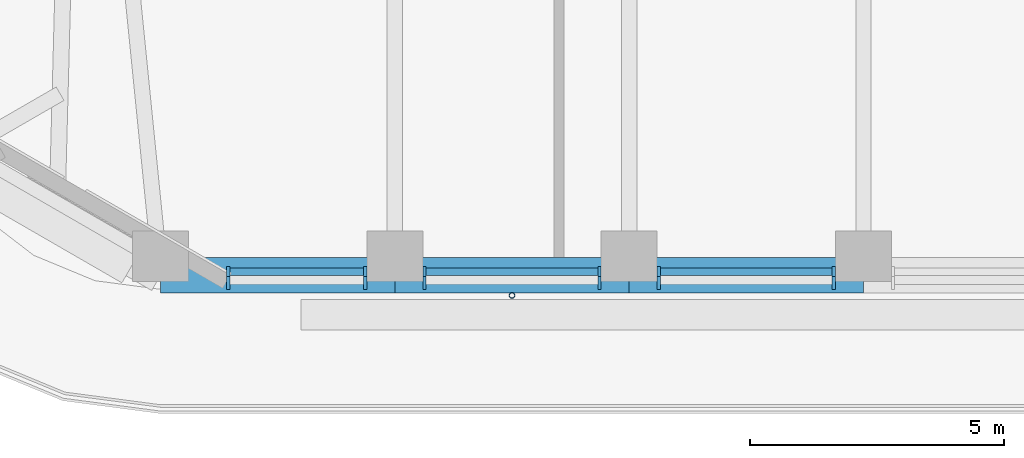
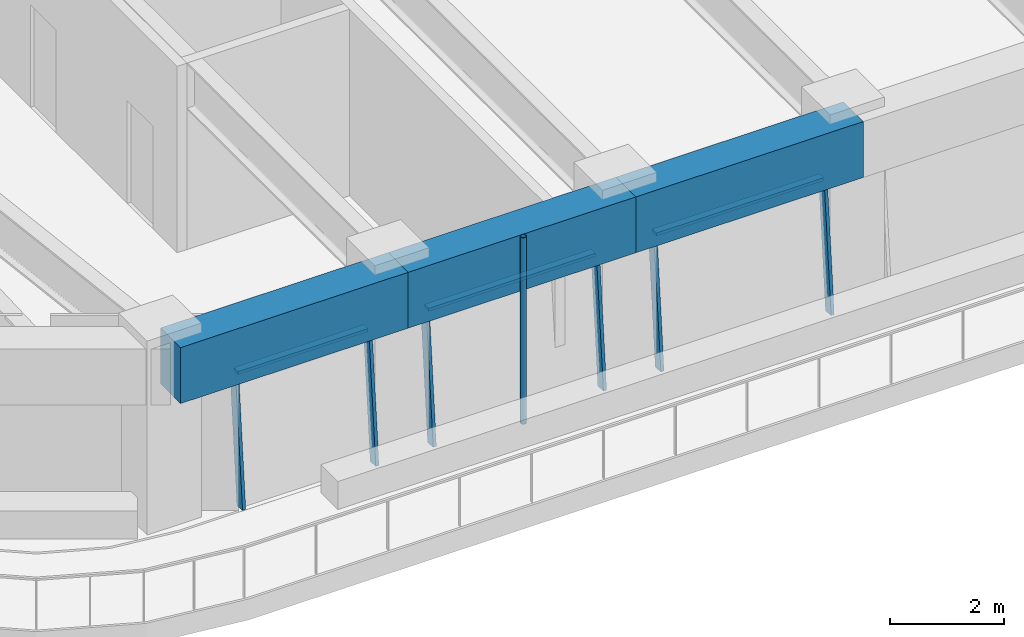
# One storey, part 2 of 20: 10 members, 3 beams, 3 elements without a shape of their own.
"""IFC4 building model written with IfcOpenShell, lengths in metres."""

from ifc_helpers import new_model, si_unit, direction, frame, origin, origin_2d, place, context, subcontext, project, spatial, rectangle, hollow_circle, extrude, material, material_profile, profile_set, type_object, element, aggregate, save


model = new_model("IFC4")

# Units and contexts
model_context = context("Model", 3, precision=1e-05, world=origin(), true_north=direction((0.0, 1.0)))
body_context = subcontext(model_context, "Body", "Model", "MODEL_VIEW")
ifc_project = project(units=[si_unit("LENGTHUNIT", "METRE"), si_unit("AREAUNIT", "SQUARE_METRE"), si_unit("VOLUMEUNIT", "CUBIC_METRE"), si_unit("PLANEANGLEUNIT", "RADIAN"), si_unit("MASSUNIT", "GRAM", prefix="KILO")], contexts=[model_context])

# Site, building, storey
site_placement = place(None, origin())
site = spatial("IfcSite", under=ifc_project, at=site_placement, CompositionType="ELEMENT")
building_placement = place(site_placement, origin())
building = spatial("IfcBuilding", under=site, at=building_placement, Name="Tarfa Lantern Tower", CompositionType="ELEMENT")
storey_placement = place(building_placement, frame((0.0, 0.0, 291.10009765625)))
storey = spatial("IfcBuildingStorey", under=building, at=storey_placement, Name="L66", CompositionType="ELEMENT", Elevation=291.10009765625)

# Curtain wall, members
ifc_material_1 = material(Name="Aluminium framed curtain wall", Category="aluminium")
curtain_wall_type = type_object("IfcCurtainWallType", Name="CW3 CANTED GLAZING HIGH ZONE 2800", PredefinedType="USERDEFINED", material=ifc_material_1)
curtain_wall_1_placement = place(storey_placement, origin())
curtain_wall_1 = element("IfcCurtainWall", 1, at=curtain_wall_1_placement, inside=storey, type_object=curtain_wall_type, Name="CW3 S L66", ObjectType="CURTAIN WALL", PredefinedType="USERDEFINED")
ifc_material_2 = material(Name="Aluminium mullion", Category="aluminium")
ifc_material_profile_1 = material_profile(ifc_material_2, rectangle(XDim=0.06494140625, YDim=0.199951171875, at=origin_2d()), Name="AL MULLION 65x200")
ifc_profile_set_1 = profile_set([ifc_material_profile_1], Name="Aluminium mullion")
member_type_1 = type_object("IfcMemberType", Name="CWM1 MULLION 65x200", PredefinedType="MULLION", material=ifc_profile_set_1)
member_1_placement = place(storey_placement, frame((-12.52392578125, -28.89990234375, 0.0), z_axis=(0.0, 0.088938092736, 0.996037155763), x_axis=(-1.0, 0.0, 0.0)))
member_1 = element("IfcMember", 2, at=member_1_placement, type_object=member_type_1, Name="CW3 mullion 1", PredefinedType="MULLION", context=body_context, shape_type="SweptSolid", body=[
    extrude(rectangle(XDim=0.06494140625, YDim=0.199951171875, at=origin_2d()), origin(), (0.0, 0.0, 1.0), 2.81103515625),
])
member_2_placement = place(storey_placement, frame((-9.820068359375, -28.89990234375, 0.0), z_axis=(0.0, 0.088938092736, 0.996037155763), x_axis=(-1.0, 0.0, 0.0)))
member_2 = element("IfcMember", 3, at=member_2_placement, type_object=member_type_1, Name="CW3 mullion 2", PredefinedType="MULLION", context=body_context, shape_type="SweptSolid", body=[
    extrude(rectangle(XDim=0.06494140625, YDim=0.199951171875, at=origin_2d()), origin(), (0.0, 0.0, 1.0), 2.81103515625),
])

curtain_wall_2_placement = place(storey_placement, origin())
curtain_wall_2 = element("IfcCurtainWall", 4, at=curtain_wall_2_placement, inside=storey, type_object=curtain_wall_type, Name="CW3 S L66", ObjectType="CURTAIN WALL", PredefinedType="USERDEFINED")
member_3_placement = place(storey_placement, frame((-8.655029296875, -28.89990234375, 0.0), z_axis=(0.0, 0.088938092736, 0.996037155763), x_axis=(-1.0, 0.0, 0.0)))
member_3 = element("IfcMember", 5, at=member_3_placement, type_object=member_type_1, Name="CW3 mullion 1", PredefinedType="MULLION", context=body_context, shape_type="SweptSolid", body=[
    extrude(rectangle(XDim=0.06494140625, YDim=0.199951171875, at=origin_2d()), origin(), (0.0, 0.0, 1.0), 2.81103515625),
])
member_4_placement = place(storey_placement, frame((-5.201416015625, -28.89990234375, 0.0), z_axis=(0.0, 0.088938092736, 0.996037155763), x_axis=(-1.0, 0.0, 0.0)))
member_4 = element("IfcMember", 6, at=member_4_placement, type_object=member_type_1, Name="CW3 mullion 2", PredefinedType="MULLION", context=body_context, shape_type="SweptSolid", body=[
    extrude(rectangle(XDim=0.06494140625, YDim=0.199951171875, at=origin_2d()), origin(), (0.0, 0.0, 1.0), 2.81103515625),
])

curtain_wall_3_placement = place(storey_placement, origin())
curtain_wall_3 = element("IfcCurtainWall", 7, at=curtain_wall_3_placement, inside=storey, type_object=curtain_wall_type, Name="CW3 S L66", ObjectType="CURTAIN WALL", PredefinedType="USERDEFINED")
member_5_placement = place(storey_placement, frame((-4.036376953125, -28.89990234375, 0.0), z_axis=(0.0, 0.088938092736, 0.996037155763), x_axis=(-1.0, 0.0, 0.0)))
member_5 = element("IfcMember", 8, at=member_5_placement, type_object=member_type_1, Name="CW3 mullion 1", PredefinedType="MULLION", context=body_context, shape_type="SweptSolid", body=[
    extrude(rectangle(XDim=0.06494140625, YDim=0.199951171875, at=origin_2d()), origin(), (0.0, 0.0, 1.0), 2.81103515625),
])
member_6_placement = place(storey_placement, frame((-0.58251953125, -28.89990234375, 0.0), z_axis=(0.0, 0.088938092736, 0.996037155763), x_axis=(-1.0, 0.0, 0.0)))
member_6 = element("IfcMember", 9, at=member_6_placement, type_object=member_type_1, Name="CW3 mullion 2", PredefinedType="MULLION", context=body_context, shape_type="SweptSolid", body=[
    extrude(rectangle(XDim=0.06494140625, YDim=0.199951171875, at=origin_2d()), origin(), (0.0, 0.0, 1.0), 2.81103515625),
])

# Member
ifc_material_3 = material(Name="Aluminium transom", Category="aluminium")
ifc_material_profile_2 = material_profile(ifc_material_3, rectangle(XDim=0.14990234375, YDim=0.06494140625, at=origin_2d()), Name="AL TRANSOM 150x65")
ifc_profile_set_2 = profile_set([ifc_material_profile_2], Name="Aluminium transom")
member_type_2 = type_object("IfcMemberType", Name="CWT1 TRANSOM 150x65", PredefinedType="USERDEFINED", material=ifc_profile_set_2)
member_7_placement = place(storey_placement, frame((-12.491455078125, -28.65283203125, 2.767333984375), z_axis=(1.0, 0.0, 0.0), x_axis=(0.0, 1.0, 0.0)))
member_7 = element("IfcMember", 10, at=member_7_placement, type_object=member_type_2, Name="CW3 transom 1.2", ObjectType="TRANSOM", PredefinedType="USERDEFINED", context=body_context, shape_type="SweptSolid", body=[
    extrude(rectangle(XDim=0.14990234375, YDim=0.06494140625, at=origin_2d()), origin(), (0.0, 0.0, 1.0), 2.638916015625),
])

aggregate(curtain_wall_1, [member_1, member_2, member_7])

member_8_placement = place(storey_placement, frame((-8.62255859375, -28.65283203125, 2.767333984375), z_axis=(1.0, 0.0, 0.0), x_axis=(0.0, 1.0, 0.0)))
member_8 = element("IfcMember", 11, at=member_8_placement, type_object=member_type_2, Name="CW3 transom 1.2", ObjectType="TRANSOM", PredefinedType="USERDEFINED", context=body_context, shape_type="SweptSolid", body=[
    extrude(rectangle(XDim=0.14990234375, YDim=0.06494140625, at=origin_2d()), origin(), (0.0, 0.0, 1.0), 3.388671875),
])

aggregate(curtain_wall_2, [member_3, member_4, member_8])

member_9_placement = place(storey_placement, frame((-4.00390625, -28.65283203125, 2.767333984375), z_axis=(1.0, 0.0, 0.0), x_axis=(0.0, 1.0, 0.0)))
member_9 = element("IfcMember", 12, at=member_9_placement, type_object=member_type_2, Name="CW3 transom 1.2", ObjectType="TRANSOM", PredefinedType="USERDEFINED", context=body_context, shape_type="SweptSolid", body=[
    extrude(rectangle(XDim=0.14990234375, YDim=0.06494140625, at=origin_2d()), origin(), (0.0, 0.0, 1.0), 3.388916015625),
])

aggregate(curtain_wall_3, [member_5, member_6, member_9])

# Beams
ifc_material_4 = material(Name="Concrete C80/95", Category="concrete")
ifc_material_profile_3 = material_profile(ifc_material_4, rectangle(XDim=0.699951171875, YDim=1.199951171875, at=origin_2d()), Name="RC 700x1200")
ifc_profile_set_3 = profile_set([ifc_material_profile_3], Name="Concrete C80/95")
beam_type = type_object("IfcBeamType", Name="EB3 RC 700x1200", PredefinedType="SPANDREL", material=ifc_profile_set_3)
beam_1_placement = place(storey_placement, frame((-13.8564453125, -28.719970703125, 3.39990234375), z_axis=(1.0, 0.0, 0.0), x_axis=(0.0, 1.0, 0.0)))
element("IfcBeam", 13, at=beam_1_placement, inside=storey, type_object=beam_type, Name="Edge beam S0", PredefinedType="SPANDREL", context=body_context, shape_type="SweptSolid", body=[
    extrude(rectangle(XDim=0.699951171875, YDim=1.199951171875, at=origin_2d()), origin(), (0.0, 0.0, 1.0), 4.618896484375),
])
beam_2_placement = place(storey_placement, frame((-9.237548828125, -28.719970703125, 3.39990234375), z_axis=(1.0, 0.0, 0.0), x_axis=(0.0, 1.0, 0.0)))
element("IfcBeam", 14, at=beam_2_placement, inside=storey, type_object=beam_type, Name="Edge beam S1", PredefinedType="SPANDREL", context=body_context, shape_type="SweptSolid", body=[
    extrude(rectangle(XDim=0.699951171875, YDim=1.199951171875, at=origin_2d()), origin(), (0.0, 0.0, 1.0), 4.61865234375),
])
beam_3_placement = place(storey_placement, frame((-4.618896484375, -28.719970703125, 3.39990234375), z_axis=(1.0, 0.0, 0.0), x_axis=(0.0, 1.0, 0.0)))
element("IfcBeam", 15, at=beam_3_placement, inside=storey, type_object=beam_type, Name="Edge beam S2", PredefinedType="SPANDREL", context=body_context, shape_type="SweptSolid", body=[
    extrude(rectangle(XDim=0.699951171875, YDim=1.199951171875, at=origin_2d()), origin(), (0.0, 0.0, 1.0), 4.618896484375),
])

# Member
ifc_material_5 = material(Name="Steel S355", Category="steel")
ifc_material_profile_4 = material_profile(ifc_material_5, hollow_circle(Radius=0.05712890625, WallThickness=0.00634765625, at=origin_2d()), Name="CHS114.3x6.3")
ifc_profile_set_4 = profile_set([ifc_material_profile_4], Name="Steel S355")
member_type_3 = type_object("IfcMemberType", Name="TR1 GREEN WALL TRELLIS CHS114.3x6.3", PredefinedType="USERDEFINED", material=ifc_profile_set_4)
member_10_placement = place(storey_placement, frame((-6.92822265625, -29.1201171875, 0.0), z_axis=(0.0, 0.0, 1.0), x_axis=(1.0, 0.0, 0.0)))
element("IfcMember", 16, at=member_10_placement, inside=storey, type_object=member_type_3, Name="Trellis post S 1", ObjectType="TRELLIS", PredefinedType="USERDEFINED", context=body_context, shape_type="SweptSolid", body=[
    extrude(hollow_circle(Radius=0.05712890625, WallThickness=0.00634765625, at=origin_2d()), origin(), (0.0, 0.0, 1.0), 4.0),
])

save(model, "model.ifc")
